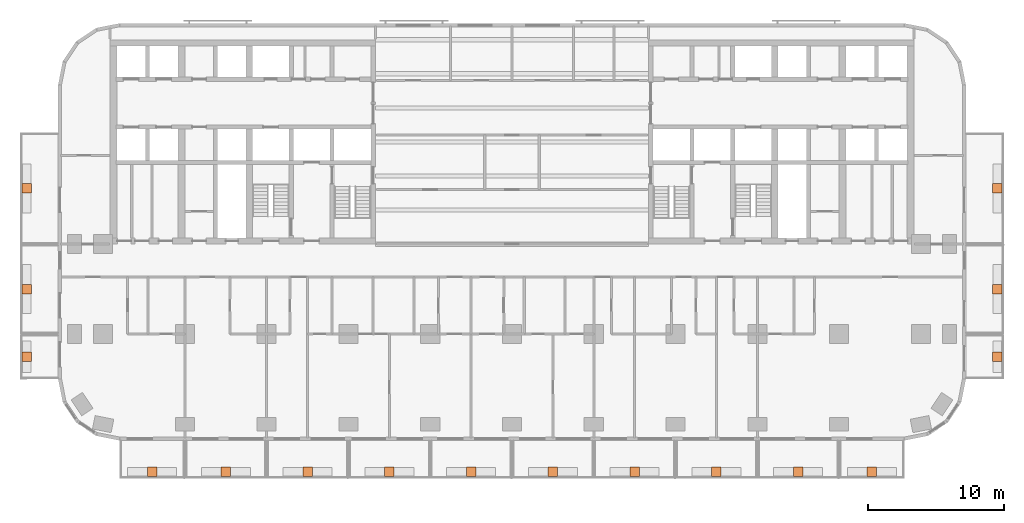
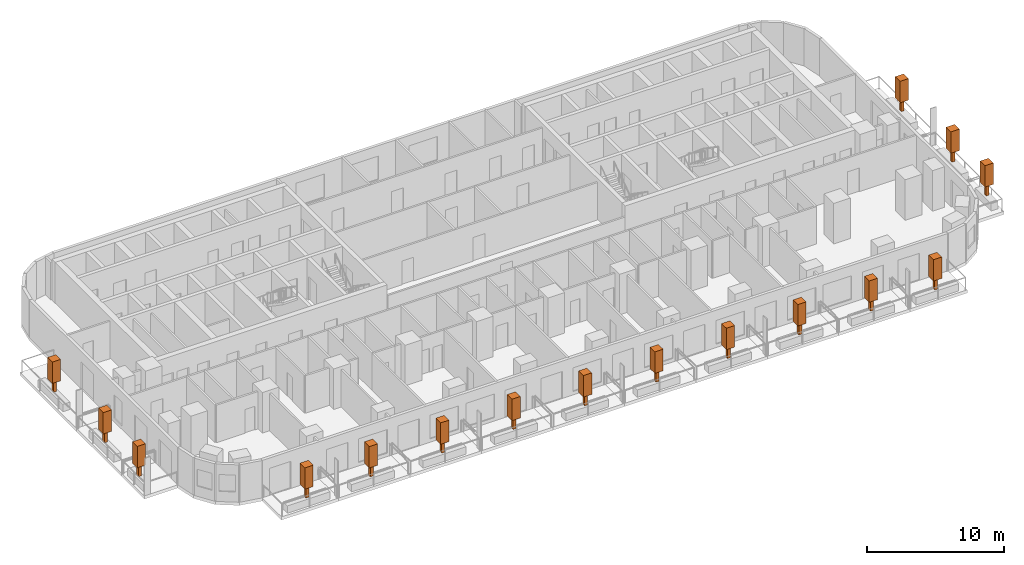
# One storey, part 14 of 14: 16 geographic elements.
"""IFC4 building model written with IfcOpenShell, lengths in metres."""

from ifc_helpers import new_model, si_unit, direction, frame, origin, origin_2d, place, context, subcontext, project, spatial, rectangle, extrude, material, element, save


model = new_model("IFC4")

# Units and contexts
model_context = context("Model", 3, precision=1e-05, world=origin(), true_north=direction((0.0, 1.0)))
body_context = subcontext(model_context, "Body", "Model", "MODEL_VIEW")
ifc_project = project(units=[si_unit("LENGTHUNIT", "METRE"), si_unit("AREAUNIT", "SQUARE_METRE"), si_unit("VOLUMEUNIT", "CUBIC_METRE"), si_unit("PLANEANGLEUNIT", "RADIAN"), si_unit("MASSUNIT", "GRAM", prefix="KILO")], contexts=[model_context])

# Site, building, storey
site_placement = place(None, origin())
site = spatial("IfcSite", under=ifc_project, at=site_placement, CompositionType="ELEMENT")
building_placement = place(site_placement, origin())
building = spatial("IfcBuilding", under=site, at=building_placement, Name="Torana Hotel and Residences", CompositionType="ELEMENT")
storey_placement = place(building_placement, frame((0.0, 0.0, 85.199951171875)))
storey = spatial("IfcBuildingStorey", under=building, at=storey_placement, Name="L21", CompositionType="ELEMENT", Elevation=85.199951171875)

# Geographic elements
ifc_material = material(Name="Foliage", Category="planting")
for number, where, z_axis, x_axis, name in (
    (1, (-26.39990234375, -31.699951171875, 0.650146484375), (0.0, 0.0, 1.0), (1.0, 0.0, 0.0), "Tree 01"),
    (2, (-21.0, -31.699951171875, 0.650146484375), (0.0, 0.0, 1.0), (1.0, 0.0, 0.0), "Tree 02"),
    (3, (-15.0, -31.699951171875, 0.650146484375), (0.0, 0.0, 1.0), (1.0, 0.0, 0.0), "Tree 03"),
    (4, (-9.0, -31.699951171875, 0.650146484375), (0.0, 0.0, 1.0), (1.0, 0.0, 0.0), "Tree 04"),
    (5, (-3.0, -31.699951171875, 0.650146484375), (0.0, 0.0, 1.0), (1.0, 0.0, 0.0), "Tree 05"),
    (6, (3.0, -31.699951171875, 0.650146484375), (0.0, 0.0, 1.0), (1.0, 0.0, 0.0), "Tree 06"),
    (7, (9.0, -31.699951171875, 0.650146484375), (0.0, 0.0, 1.0), (1.0, 0.0, 0.0), "Tree 07"),
    (8, (15.0, -31.699951171875, 0.650146484375), (0.0, 0.0, 1.0), (1.0, 0.0, 0.0), "Tree 08"),
    (9, (21.0, -31.699951171875, 0.650146484375), (0.0, 0.0, 1.0), (1.0, 0.0, 0.0), "Tree 09"),
    (10, (26.39990234375, -31.699951171875, 0.650146484375), (0.0, 0.0, 1.0), (1.0, 0.0, 0.0), "Tree 10"),
    (11, (-35.60009765625, -23.25, 0.650146484375), (0.0, 0.0, 1.0), (1.0, 0.0, 0.0), "Tree 11"),
    (12, (-35.60009765625, -18.300048828125, 0.650146484375), (0.0, 0.0, 1.0), (1.0, 0.0, 0.0), "Tree 12"),
    (13, (-35.60009765625, -10.89990234375, 0.650146484375), (0.0, 0.0, 1.0), (1.0, 0.0, 0.0), "Tree 13"),
    (14, (35.60009765625, -23.25, 0.650146484375), (0.0, 0.0, 1.0), (1.0, 0.0, 0.0), "Tree 14"),
    (15, (35.60009765625, -18.300048828125, 0.650146484375), (0.0, 0.0, 1.0), (1.0, 0.0, 0.0), "Tree 15"),
    (16, (35.60009765625, -10.89990234375, 0.650146484375), (0.0, 0.0, 1.0), (1.0, 0.0, 0.0), "Tree 16"),
):
    element("IfcGeographicElement", number, at=place(storey_placement, frame(where, z_axis=z_axis, x_axis=x_axis)), inside=storey, material=ifc_material, Name=name, ObjectType="TREE", PredefinedType="USERDEFINED", context=body_context, shape_type="SweptSolid", body=[
        extrude(rectangle(XDim=0.25, YDim=0.25, at=origin_2d()), origin(), (0.0, 0.0, 1.0), 1.0),
        extrude(rectangle(XDim=0.699951171875, YDim=0.699951171875, at=origin_2d()), frame((0.0, 0.0, 1.0)), (0.0, 0.0, 1.0), 1.89990234375),
    ])

save(model, "model.ifc")
